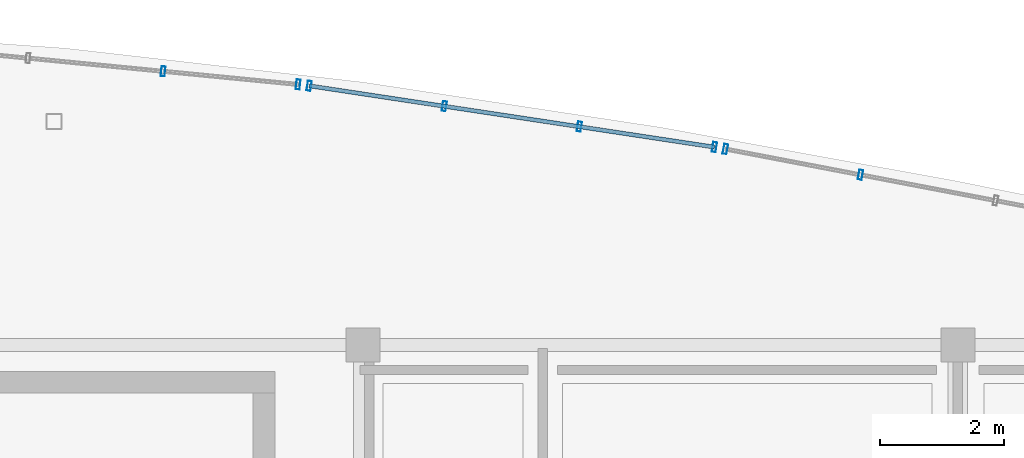
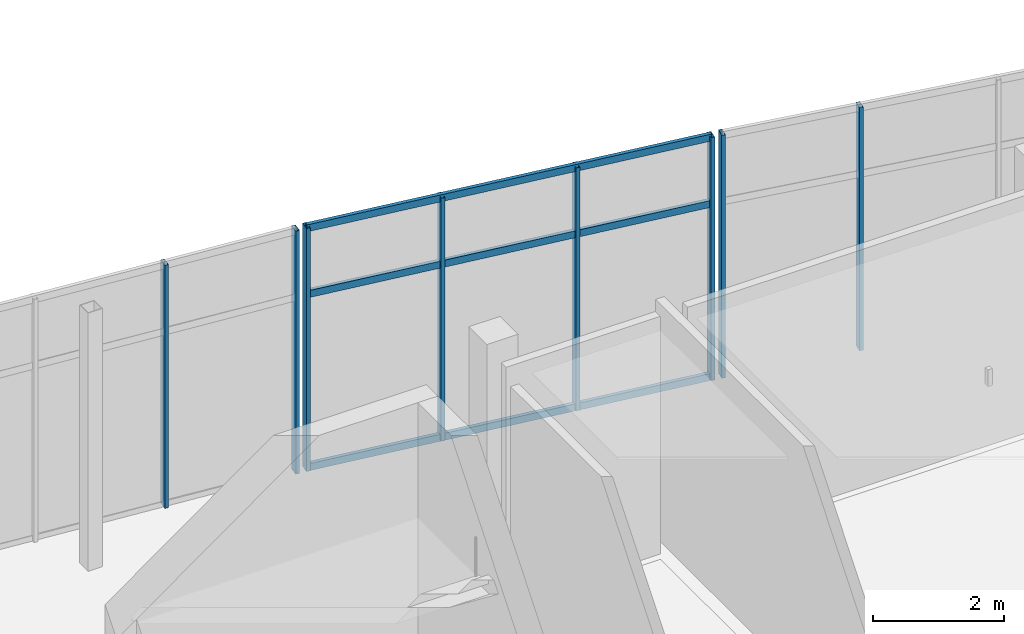
# One storey, part 103 of 157: 11 members, 3 elements without a shape of their own.
"""IFC4 building model written with IfcOpenShell, lengths in metres."""

from ifc_helpers import new_model, si_unit, direction, frame, origin, origin_2d, place, context, subcontext, project, spatial, hollow_rectangle, extrude, material, layer, layer_set, material_profile, profile_set, type_object, element, aggregate, save


model = new_model("IFC4")

# Units and contexts
model_context = context("Model", 3, precision=1e-05, world=origin(), true_north=direction((0.0, 1.0)))
body_context = subcontext(model_context, "Body", "Model", "MODEL_VIEW")
ifc_project = project(units=[si_unit("LENGTHUNIT", "METRE"), si_unit("AREAUNIT", "SQUARE_METRE"), si_unit("VOLUMEUNIT", "CUBIC_METRE"), si_unit("PLANEANGLEUNIT", "RADIAN"), si_unit("MASSUNIT", "GRAM", prefix="KILO")], contexts=[model_context])

# Site, building, storey
site_placement = place(None, origin())
site = spatial("IfcSite", under=ifc_project, at=site_placement, CompositionType="ELEMENT")
building_placement = place(site_placement, origin())
building = spatial("IfcBuilding", under=site, at=building_placement, Name="Chalmorin Arch Market", CompositionType="ELEMENT")
storey_placement = place(building_placement, frame((0.0, 0.0, 4.800048828125)))
storey = spatial("IfcBuildingStorey", under=building, at=storey_placement, Name="L01", CompositionType="ELEMENT", Elevation=4.800048828125)

# Curtain wall, members
ifc_material = material(Name="Aluminium 6063-T6", Category="aluminium")
ifc_layer_1 = layer(ifc_material, 0.159912109375)
ifc_layer_set_1 = layer_set([ifc_layer_1], Name="Aluminium 6063-T6")
curtain_wall_type_1 = type_object("IfcCurtainWallType", Name="CulinaryStudioCurtainWall-CW3-6570x4520", PredefinedType="NOTDEFINED", material=ifc_layer_set_1)
curtain_wall_1_placement = place(storey_placement, origin())
curtain_wall_1 = element("IfcCurtainWall", 1, at=curtain_wall_1_placement, inside=storey, type_object=curtain_wall_type_1, Name="CW-03-139", PredefinedType="NOTDEFINED")
ifc_material_profile_1 = material_profile(ifc_material, hollow_rectangle(XDim=0.06494140625, YDim=0.159912109375, WallThickness=0.00390625, at=origin_2d()), Name="ALU65X160X4")
ifc_profile_set_1 = profile_set([ifc_material_profile_1], Name="Aluminium 6063-T6")
member_type_1 = type_object("IfcMemberType", Name="CurtainWallMullion-65x160", PredefinedType="MULLION", material=ifc_profile_set_1)
member_1_placement = place(storey_placement, frame((92.77001953125, 122.421875, 0.0), z_axis=(0.0, 0.0, 1.0), x_axis=(0.994521895368, -0.104528463268, 0.0)))
member_1 = element("IfcMember", 2, at=member_1_placement, type_object=member_type_1, Name="ML-139-03", PredefinedType="MULLION", context=body_context, shape_type="SweptSolid", body=[
    extrude(hollow_rectangle(XDim=0.06494140625, YDim=0.159912109375, WallThickness=0.00390625, at=origin_2d()), origin(), (0.0, 0.0, 1.0), 4.52001953125),
])
member_2_placement = place(storey_placement, frame((94.950439453125, 122.209716796875, 0.0), z_axis=(0.0, 0.0, 1.0), x_axis=(0.994521895368, -0.104528463268, 0.0)))
member_2 = element("IfcMember", 3, at=member_2_placement, type_object=member_type_1, Name="ML-139-04", PredefinedType="MULLION", context=body_context, shape_type="SweptSolid", body=[
    extrude(hollow_rectangle(XDim=0.06494140625, YDim=0.159912109375, WallThickness=0.00390625, at=origin_2d()), origin(), (0.0, 0.0, 1.0), 4.52001953125),
])
aggregate(curtain_wall_1, [member_1, member_2])

ifc_layer_2 = layer(ifc_material, 0.159912109375)
ifc_layer_set_2 = layer_set([ifc_layer_2], Name="Aluminium 6063-T6")
curtain_wall_type_2 = type_object("IfcCurtainWallType", Name="CulinaryStudioCurtainWall-CW3-6620x4520", PredefinedType="NOTDEFINED", material=ifc_layer_set_2)
curtain_wall_2_placement = place(storey_placement, origin())
curtain_wall_2 = element("IfcCurtainWall", 4, at=curtain_wall_2_placement, inside=storey, type_object=curtain_wall_type_2, Name="CW-03-142", PredefinedType="NOTDEFINED")
member_3_placement = place(storey_placement, frame((95.12890625, 122.1875, 0.0), z_axis=(0.0, 0.0, 1.0), x_axis=(0.987688340595, -0.15643446504, 0.0)))
member_3 = element("IfcMember", 5, at=member_3_placement, type_object=member_type_1, Name="ML-142-01", PredefinedType="MULLION", context=body_context, shape_type="SweptSolid", body=[
    extrude(hollow_rectangle(XDim=0.06494140625, YDim=0.159912109375, WallThickness=0.00390625, at=origin_2d()), origin(), (0.0, 0.0, 1.0), 4.52001953125),
])
member_4_placement = place(storey_placement, frame((97.309814453125, 121.857421875, 0.0), z_axis=(0.0, 0.0, 1.0), x_axis=(0.987688340595, -0.15643446504, 0.0)))
member_4 = element("IfcMember", 6, at=member_4_placement, type_object=member_type_1, Name="ML-142-02", PredefinedType="MULLION", context=body_context, shape_type="SweptSolid", body=[
    extrude(hollow_rectangle(XDim=0.06494140625, YDim=0.159912109375, WallThickness=0.00390625, at=origin_2d()), origin(), (0.0, 0.0, 1.0), 4.52001953125),
])
member_5_placement = place(storey_placement, frame((99.490234375, 121.527587890625, 0.0), z_axis=(0.0, 0.0, 1.0), x_axis=(0.987688340595, -0.15643446504, 0.0)))
member_5 = element("IfcMember", 7, at=member_5_placement, type_object=member_type_1, Name="ML-142-03", PredefinedType="MULLION", context=body_context, shape_type="SweptSolid", body=[
    extrude(hollow_rectangle(XDim=0.06494140625, YDim=0.159912109375, WallThickness=0.00390625, at=origin_2d()), origin(), (0.0, 0.0, 1.0), 4.52001953125),
])
member_6_placement = place(storey_placement, frame((101.6708984375, 121.197509765625, 0.0), z_axis=(0.0, 0.0, 1.0), x_axis=(0.987688340595, -0.15643446504, 0.0)))
member_6 = element("IfcMember", 8, at=member_6_placement, type_object=member_type_1, Name="ML-142-04", PredefinedType="MULLION", context=body_context, shape_type="SweptSolid", body=[
    extrude(hollow_rectangle(XDim=0.06494140625, YDim=0.159912109375, WallThickness=0.00390625, at=origin_2d()), origin(), (0.0, 0.0, 1.0), 4.52001953125),
])

ifc_layer_3 = layer(ifc_material, 0.159912109375)
ifc_layer_set_3 = layer_set([ifc_layer_3], Name="Aluminium 6063-T6")
curtain_wall_type_3 = type_object("IfcCurtainWallType", Name="CulinaryStudioCurtainWall-CW3-6660x4520", PredefinedType="NOTDEFINED", material=ifc_layer_set_3)
curtain_wall_3_placement = place(storey_placement, origin())
curtain_wall_3 = element("IfcCurtainWall", 9, at=curtain_wall_3_placement, inside=storey, type_object=curtain_wall_type_3, Name="CW-03-145", PredefinedType="NOTDEFINED")
member_7_placement = place(storey_placement, frame((101.848388671875, 121.1669921875, 0.0), z_axis=(0.0, 0.0, 1.0), x_axis=(0.981627183448, -0.190808995377, 0.0)))
member_7 = element("IfcMember", 10, at=member_7_placement, type_object=member_type_1, Name="ML-145-01", PredefinedType="MULLION", context=body_context, shape_type="SweptSolid", body=[
    extrude(hollow_rectangle(XDim=0.06494140625, YDim=0.159912109375, WallThickness=0.00390625, at=origin_2d()), origin(), (0.0, 0.0, 1.0), 4.52001953125),
])
member_8_placement = place(storey_placement, frame((104.029541015625, 120.750732421875, 0.0), z_axis=(0.0, 0.0, 1.0), x_axis=(0.981627183448, -0.190808995377, 0.0)))
member_8 = element("IfcMember", 11, at=member_8_placement, type_object=member_type_1, Name="ML-145-02", PredefinedType="MULLION", context=body_context, shape_type="SweptSolid", body=[
    extrude(hollow_rectangle(XDim=0.06494140625, YDim=0.159912109375, WallThickness=0.00390625, at=origin_2d()), origin(), (0.0, 0.0, 1.0), 4.52001953125),
])
aggregate(curtain_wall_3, [member_7, member_8])

# Member
ifc_material_profile_2 = material_profile(ifc_material, hollow_rectangle(XDim=0.06494140625, YDim=0.1298828125, WallThickness=0.00390625, at=origin_2d()), Name="ALU65X130X4")
ifc_profile_set_2 = profile_set([ifc_material_profile_2], Name="Aluminium 6063-T6")
member_type_2 = type_object("IfcMemberType", Name="CurtainWallTransom-65x130", PredefinedType="USERDEFINED", material=ifc_profile_set_2)
member_9_placement = place(storey_placement, frame((95.12890625, 122.1875, 0.034912109375), z_axis=(0.988742814157, -0.149625022817, 0.0), x_axis=(0.149625022817, 0.988742814157, 0.0)))
member_9 = element("IfcMember", 12, at=member_9_placement, type_object=member_type_2, Name="TR-142-01", ObjectType="TRANSOM", PredefinedType="USERDEFINED", context=body_context, shape_type="SweptSolid", body=[
    extrude(hollow_rectangle(XDim=0.06494140625, YDim=0.1298828125, WallThickness=0.00390625, at=origin_2d()), origin(), (0.0, 0.0, 1.0), 6.616455078125),
])

member_10_placement = place(storey_placement, frame((95.12890625, 122.1875, 3.25439453125), z_axis=(0.988742814157, -0.149625022817, 0.0), x_axis=(0.149625022817, 0.988742814157, 0.0)))
member_10 = element("IfcMember", 13, at=member_10_placement, type_object=member_type_2, Name="TR-142-02", ObjectType="TRANSOM", PredefinedType="USERDEFINED", context=body_context, shape_type="SweptSolid", body=[
    extrude(hollow_rectangle(XDim=0.06494140625, YDim=0.1298828125, WallThickness=0.00390625, at=origin_2d()), origin(), (0.0, 0.0, 1.0), 6.616455078125),
])

member_11_placement = place(storey_placement, frame((95.12890625, 122.1875, 4.48486328125), z_axis=(0.988742814157, -0.149625022817, 0.0), x_axis=(0.149625022817, 0.988742814157, 0.0)))
member_11 = element("IfcMember", 14, at=member_11_placement, type_object=member_type_2, Name="TR-142-03", ObjectType="TRANSOM", PredefinedType="USERDEFINED", context=body_context, shape_type="SweptSolid", body=[
    extrude(hollow_rectangle(XDim=0.06494140625, YDim=0.1298828125, WallThickness=0.00390625, at=origin_2d()), origin(), (0.0, 0.0, 1.0), 6.616455078125),
])

aggregate(curtain_wall_2, [member_3, member_4, member_5, member_6, member_9, member_10, member_11])

save(model, "model.ifc")
